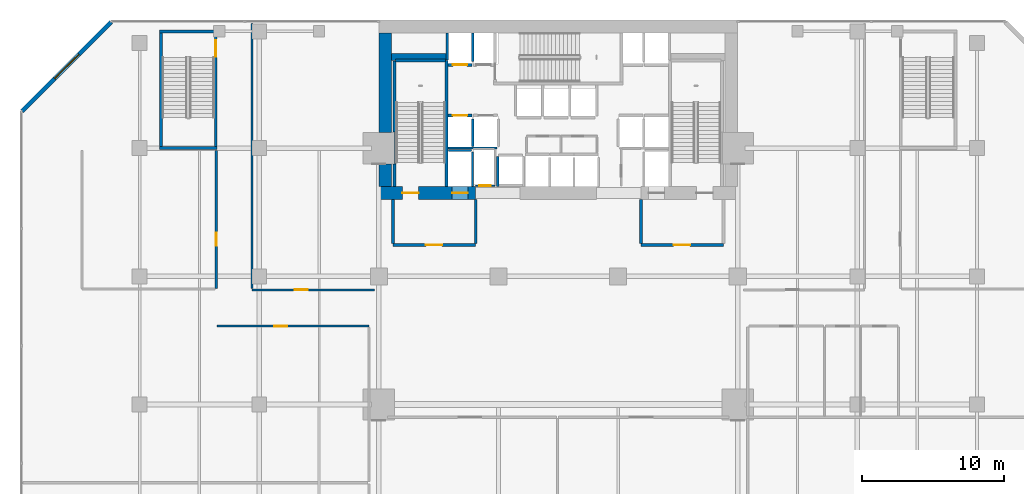
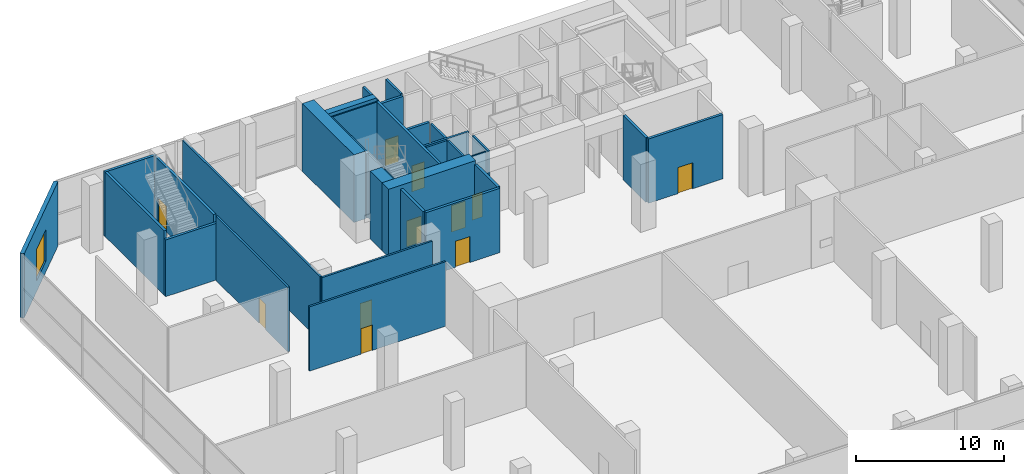
# One storey, part 35 of 40: 33 walls, 11 doors, 1 window, 12 openings.
"""IFC4 building model written with IfcOpenShell, lengths in metres."""

from ifc_helpers import new_model, si_unit, direction, frame, frame_2d, origin, place, context, subcontext, project, spatial, rectangle, extrude, material, layer, layer_set, type_object, element, fill, save


model = new_model("IFC4")

# Units and contexts
model_context = context("Model", 3, precision=1e-05, world=origin(), true_north=direction((0.0, 1.0)))
body_context = subcontext(model_context, "Body", "Model", "MODEL_VIEW")
ifc_project = project(units=[si_unit("LENGTHUNIT", "METRE"), si_unit("AREAUNIT", "SQUARE_METRE"), si_unit("VOLUMEUNIT", "CUBIC_METRE"), si_unit("PLANEANGLEUNIT", "RADIAN"), si_unit("MASSUNIT", "GRAM", prefix="KILO")], contexts=[model_context])

# Site, building, storey
site_placement = place(None, origin())
site = spatial("IfcSite", under=ifc_project, at=site_placement, CompositionType="ELEMENT")
building_placement = place(site_placement, origin())
building = spatial("IfcBuilding", under=site, at=building_placement, Name="Maruvema Waterfront Hotel and Observation Tower", CompositionType="ELEMENT")
storey_placement = place(building_placement, frame((0.0, 0.0, 10.85009765625)))
storey = spatial("IfcBuildingStorey", under=building, at=storey_placement, Name="L02", CompositionType="ELEMENT", Elevation=10.85009765625)

# Wall, opening, door
ifc_material_1 = material(Name="Twin-stud acoustic gypsum drywall", Category="gypsum")
ifc_layer_1 = layer(ifc_material_1, 0.14990234375, Name="Acoustic Corridor and Suite Demising Wall 150 mm")
ifc_layer_set_1 = layer_set([ifc_layer_1], Name="Twin-stud acoustic gypsum drywall")
wall_type_1 = type_object("IfcWallType", Name="Acoustic Corridor and Suite Demising Wall 150 mm", PredefinedType="PARTITIONING", material=ifc_layer_set_1)
wall_1_placement = place(storey_placement, frame((13.85009765625, 32.5, 0.0), z_axis=(0.0, 0.0, 1.0), x_axis=(1.0, 0.0, 0.0)))
wall_1 = element("IfcWall", 1, at=wall_1_placement, inside=storey, type_object=wall_type_1, Name="L02 L02 Boardroom North Wall 021", PredefinedType="PARTITIONING", context=body_context, shape_type="SweptSolid", body=[
    extrude(rectangle(XDim=10.64990234375, YDim=0.14990234375, at=frame_2d((5.324951171875, 0.0))), origin(), (0.0, 0.0, 1.0), 5.31982421875),
])
opening_1_placement = place(wall_1_placement, frame((4.0, 0.0, 0.0)))
opening_1 = element("IfcOpeningElement", 2, at=opening_1_placement, cuts=wall_1, Name="Opening DR-090", PredefinedType="OPENING", context=body_context, shape_type="SweptSolid", body=[
    extrude(rectangle(XDim=0.89990234375, YDim=2.10009765625, at=frame_2d((0.449951171875, 1.050048828125))), frame((0.0, 0.0849609375, 0.0), z_axis=(0.0, -1.0, 0.0), x_axis=(1.0, 0.0, 0.0)), (0.0, 0.0, 1.0), 0.169921875),
])
ifc_material_2 = material(Name="Solid-core lacquered timber leaf", Category="wood")
door_type_1 = type_object("IfcDoorType", Name="Accessible Toilet and Room Door 900x2100 mm", OperationType="NOTDEFINED", PredefinedType="DOOR", material=ifc_material_2)
door_1_placement = place(opening_1_placement, origin())
door_1 = element("IfcDoor", 3, at=door_1_placement, inside=storey, type_object=door_type_1, Name="L02 Boardroom Door", OperationType="SINGLE_SWING_RIGHT", OverallHeight=2.10009765625, OverallWidth=0.89990234375, PredefinedType="DOOR", context=body_context, shape_type="SweptSolid", body=[
    extrude(rectangle(XDim=0.89990234375, YDim=2.10009765625, at=frame_2d((0.449951171875, 1.050048828125))), frame((0.0, 0.02490234375, 0.0), z_axis=(0.0, -1.0, 0.0), x_axis=(1.0, 0.0, 0.0)), (0.0, 0.0, 1.0), 0.050048828125),
])
fill(opening_1, door_1)

wall_2_placement = place(storey_placement, frame((16.300048828125, 35.050048828125, 0.0), z_axis=(0.0, 0.0, 1.0), x_axis=(1.0, 0.0, 0.0)))
wall_2 = element("IfcWall", 4, at=wall_2_placement, inside=storey, type_object=wall_type_1, Name="L02 L02 Exec Office Wall 024", PredefinedType="PARTITIONING", context=body_context, shape_type="SweptSolid", body=[
    extrude(rectangle(XDim=8.599853515625, YDim=0.14990234375, at=frame_2d((4.2998046875, 0.0))), origin(), (0.0, 0.0, 1.0), 5.31982421875),
])
opening_2_placement = place(wall_2_placement, frame((3.0, 0.0, 0.0)))
opening_2 = element("IfcOpeningElement", 5, at=opening_2_placement, cuts=wall_2, Name="Opening DR-090", PredefinedType="OPENING", context=body_context, shape_type="SweptSolid", body=[
    extrude(rectangle(XDim=0.89990234375, YDim=2.10009765625, at=frame_2d((0.449951171875, 1.050048828125))), frame((0.0, 0.0849609375, 0.0), z_axis=(0.0, -1.0, 0.0), x_axis=(1.0, 0.0, 0.0)), (0.0, 0.0, 1.0), 0.169921875),
])
door_2_placement = place(opening_2_placement, frame((0.89990234375, 0.0, 0.0), z_axis=(0.0, 0.0, 1.0), x_axis=(-1.0, 0.0, 0.0)))
door_2 = element("IfcDoor", 6, at=door_2_placement, inside=storey, type_object=door_type_1, Name="L02 Executive Office Door", OperationType="SINGLE_SWING_LEFT", OverallHeight=2.10009765625, OverallWidth=0.89990234375, PredefinedType="DOOR", context=body_context, shape_type="SweptSolid", body=[
    extrude(rectangle(XDim=0.89990234375, YDim=2.10009765625, at=frame_2d((0.449951171875, 1.050048828125))), frame((0.0, 0.02490234375, 0.0), z_axis=(0.0, -1.0, 0.0), x_axis=(1.0, 0.0, 0.0)), (0.0, 0.0, 1.0), 0.050048828125),
])
fill(opening_2, door_2)

# Wall
wall_3_placement = place(storey_placement, frame((16.300048828125, 35.14990234375, 0.0), z_axis=(0.0, 0.0, 1.0), x_axis=(0.0, 1.0, 0.0)))
element("IfcWall", 7, at=wall_3_placement, inside=storey, type_object=wall_type_1, Name="L02 L02 Exec West Wall 025", PredefinedType="PARTITIONING", context=body_context, shape_type="SweptSolid", body=[
    extrude(rectangle(XDim=18.60009765625, YDim=0.14990234375, at=frame_2d((9.300048828125, 0.0))), origin(), (0.0, 0.0, 1.0), 5.31982421875),
])

# Wall, opening, door
wall_4_placement = place(storey_placement, frame((13.780029296875, 35.14990234375, 0.0), z_axis=(0.0, 0.0, 1.0), x_axis=(0.0, 1.0, 0.0)))
wall_4 = element("IfcWall", 8, at=wall_4_placement, inside=storey, type_object=wall_type_1, Name="L02 L02 Catering Store Wall 026", PredefinedType="PARTITIONING", context=body_context, shape_type="SweptSolid", body=[
    extrude(rectangle(XDim=9.7001953125, YDim=0.14990234375, at=frame_2d((4.85009765625, 0.0))), origin(), (0.0, 0.0, 1.0), 5.31982421875),
])
opening_3_placement = place(wall_4_placement, frame((3.0, 0.0, 0.0)))
opening_3 = element("IfcOpeningElement", 9, at=opening_3_placement, cuts=wall_4, Name="Opening DR-090", PredefinedType="OPENING", context=body_context, shape_type="SweptSolid", body=[
    extrude(rectangle(XDim=0.89990234375, YDim=2.10009765625, at=frame_2d((0.449951171875, 1.050048828125))), frame((0.0, 0.0849609375, 0.0), z_axis=(0.0, -1.0, 0.0), x_axis=(1.0, 0.0, 0.0)), (0.0, 0.0, 1.0), 0.169921875),
])
door_3_placement = place(opening_3_placement, origin())
door_3 = element("IfcDoor", 10, at=door_3_placement, inside=storey, type_object=door_type_1, Name="L02 Catering Store Door", OperationType="SINGLE_SWING_RIGHT", OverallHeight=2.10009765625, OverallWidth=0.89990234375, PredefinedType="DOOR", context=body_context, shape_type="SweptSolid", body=[
    extrude(rectangle(XDim=0.89990234375, YDim=2.10009765625, at=frame_2d((0.449951171875, 1.050048828125))), frame((0.0, 0.02490234375, 0.0), z_axis=(0.0, -1.0, 0.0), x_axis=(1.0, 0.0, 0.0)), (0.0, 0.0, 1.0), 0.050048828125),
])
fill(opening_3, door_3)

# Walls
ifc_material_3 = material(Name="Precast concrete C45/55", Category="concrete")
ifc_layer_2 = layer(ifc_material_3, 0.199951171875, Name="Core Shaft and Stairwell Enclosure Wall 200 mm")
ifc_layer_set_2 = layer_set([ifc_layer_2], Name="Precast concrete C45/55")
wall_type_2 = type_object("IfcWallType", Name="Core Shaft and Stairwell Enclosure Wall 200 mm", PredefinedType="SOLIDWALL", material=ifc_layer_set_2)
wall_5_placement = place(storey_placement, frame((29.949951171875, 42.300048828125, 0.0), z_axis=(0.0, 0.0, 1.0), x_axis=(0.0, 1.0, 0.0)))
element("IfcWall", 11, at=wall_5_placement, inside=storey, type_object=wall_type_2, Name="L02 Stairwell ST-01 East Shaft Wall", PredefinedType="SOLIDWALL", context=body_context, shape_type="SweptSolid", body=[
    extrude(rectangle(XDim=8.849853515625, YDim=0.199951171875, at=frame_2d((4.4248046875, 0.0))), origin(), (0.0, 0.0, 1.0), 5.31982421875),
])
wall_6_placement = place(storey_placement, frame((26.300048828125, 42.300048828125, 0.0), z_axis=(0.0, 0.0, 1.0), x_axis=(0.0, 1.0, 0.0)))
element("IfcWall", 12, at=wall_6_placement, inside=storey, type_object=wall_type_2, Name="L02 Stairwell ST-01 Shaft Lining Wall", PredefinedType="SOLIDWALL", context=body_context, shape_type="SweptSolid", body=[
    extrude(rectangle(XDim=1.579833984375, YDim=0.199951171875, at=frame_2d((0.7900390625, 0.0))), origin(), (0.0, 0.0, 1.0), 5.31982421875),
])
wall_7_placement = place(storey_placement, frame((26.300048828125, 46.1201171875, 0.0), z_axis=(0.0, 0.0, 1.0), x_axis=(0.0, 1.0, 0.0)))
element("IfcWall", 13, at=wall_7_placement, inside=storey, type_object=wall_type_2, Name="L02 Stairwell ST-01 Shaft Lining Wall", PredefinedType="SOLIDWALL", context=body_context, shape_type="SweptSolid", body=[
    extrude(rectangle(XDim=5.0, YDim=0.199951171875, at=frame_2d((2.5, 0.0))), origin(), (0.0, 0.0, 1.0), 5.31982421875),
])
wall_8_placement = place(storey_placement, frame((26.3798828125, 51.14990234375, 0.0), z_axis=(0.0, 0.0, 1.0), x_axis=(1.0, 0.0, 0.0)))
element("IfcWall", 14, at=wall_8_placement, inside=storey, type_object=wall_type_2, Name="L02 Stairwell ST-01 Shaft Lining Wall", PredefinedType="SOLIDWALL", context=body_context, shape_type="SweptSolid", body=[
    extrude(rectangle(XDim=3.5, YDim=0.199951171875, at=frame_2d((1.75, 0.0))), origin(), (0.0, 0.0, 1.0), 5.31982421875),
])
wall_9_placement = place(storey_placement, frame((9.800048828125, 45.0, 0.0), z_axis=(0.0, 0.0, 1.0), x_axis=(1.0, 0.0, 0.0)))
element("IfcWall", 15, at=wall_9_placement, inside=storey, type_object=wall_type_2, Name="L02 Stairwell ST-04 Shaft Wall", PredefinedType="SOLIDWALL", context=body_context, shape_type="SweptSolid", body=[
    extrude(rectangle(XDim=4.050048828125, YDim=0.199951171875, at=frame_2d((2.02490234375, 0.0))), origin(), (0.0, 0.0, 1.0), 4.684814453125),
])
wall_10_placement = place(storey_placement, frame((9.89990234375, 45.10009765625, 0.0), z_axis=(0.0, 0.0, 1.0), x_axis=(0.0, 1.0, 0.0)))
element("IfcWall", 16, at=wall_10_placement, inside=storey, type_object=wall_type_2, Name="L02 Stairwell ST-04 Shaft Wall", PredefinedType="SOLIDWALL", context=body_context, shape_type="SweptSolid", body=[
    extrude(rectangle(XDim=8.099853515625, YDim=0.199951171875, at=frame_2d((4.0498046875, 0.0))), origin(), (0.0, 0.0, 1.0), 5.31982421875),
])

# Wall, opening, door
wall_11_placement = place(storey_placement, frame((13.75, 45.10009765625, 0.0), z_axis=(0.0, 0.0, 1.0), x_axis=(0.0, 1.0, 0.0)))
wall_11 = element("IfcWall", 17, at=wall_11_placement, inside=storey, type_object=wall_type_2, Name="L02 Stairwell ST-04 Shaft Wall", PredefinedType="SOLIDWALL", context=body_context, shape_type="SweptSolid", body=[
    extrude(rectangle(XDim=8.099853515625, YDim=0.199951171875, at=frame_2d((4.0498046875, 0.0))), origin(), (0.0, 0.0, 1.0), 5.31982421875),
])
opening_4_placement = place(wall_11_placement, frame((6.320068359375, 0.0, 0.0)))
opening_4 = element("IfcOpeningElement", 18, at=opening_4_placement, cuts=wall_11, Name="Opening SD-01", PredefinedType="OPENING", context=body_context, shape_type="SweptSolid", body=[
    extrude(rectangle(XDim=1.14990234375, YDim=2.14990234375, at=frame_2d((0.574951171875, 1.074951171875))), frame((0.0, 0.10986328125, 0.0), z_axis=(0.0, -1.0, 0.0), x_axis=(1.0, 0.0, 0.0)), (0.0, 0.0, 1.0), 0.219970703125),
])
ifc_material_4 = material(Name="Fire-rated galvanised steel leaf", Category="steel")
door_type_2 = type_object("IfcDoorType", Name="Exit Stair Fire Door 1150x2150 mm", OperationType="NOTDEFINED", PredefinedType="DOOR", material=ifc_material_4)
door_4_placement = place(opening_4_placement, origin())
door_4 = element("IfcDoor", 19, at=door_4_placement, inside=storey, type_object=door_type_2, Name="L02 Exit Stair ST-04 Fire Door", OperationType="SINGLE_SWING_RIGHT", OverallHeight=2.14990234375, OverallWidth=1.14990234375, PredefinedType="DOOR", context=body_context, shape_type="SweptSolid", body=[
    extrude(rectangle(XDim=1.14990234375, YDim=2.14990234375, at=frame_2d((0.574951171875, 1.074951171875))), frame((0.0, 0.02490234375, 0.0), z_axis=(0.0, -1.0, 0.0), x_axis=(1.0, 0.0, 0.0)), (0.0, 0.0, 1.0), 0.050048828125),
])
fill(opening_4, door_4)

# Wall
wall_12_placement = place(storey_placement, frame((9.800048828125, 53.199951171875, 0.0), z_axis=(0.0, 0.0, 1.0), x_axis=(1.0, 0.0, 0.0)))
element("IfcWall", 20, at=wall_12_placement, inside=storey, type_object=wall_type_2, Name="L02 Stairwell ST-04 Shaft Wall", PredefinedType="SOLIDWALL", context=body_context, shape_type="SweptSolid", body=[
    extrude(rectangle(XDim=4.050048828125, YDim=0.199951171875, at=frame_2d((2.02490234375, 0.0))), origin(), (0.0, 0.0, 1.0), 5.31982421875),
])

# Wall, opening, door
wall_13_placement = place(storey_placement, frame((30.06005859375, 47.300048828125, 0.0), z_axis=(0.0, 0.0, 1.0), x_axis=(1.0, 0.0, 0.0)))
wall_13 = element("IfcWall", 21, at=wall_13_placement, inside=storey, type_object=wall_type_2, Name="L02 Lift LF-01 Hoistway Front Wall", PredefinedType="SOLIDWALL", context=body_context, shape_type="SweptSolid", body=[
    extrude(rectangle(XDim=1.679931640625, YDim=0.199951171875, at=frame_2d((0.83984375, 0.0))), origin(), (0.0, 0.0, 1.0), 5.31982421875),
])
opening_5_placement = place(wall_13_placement, frame((0.340087890625, 0.0, 0.0)))
opening_5 = element("IfcOpeningElement", 22, at=opening_5_placement, cuts=wall_13, Name="Opening LD-01", PredefinedType="OPENING", context=body_context, shape_type="SweptSolid", body=[
    extrude(rectangle(XDim=1.0, YDim=2.14990234375, at=frame_2d((0.5, 1.074951171875))), frame((0.0, 0.10986328125, 0.0), z_axis=(0.0, -1.0, 0.0), x_axis=(1.0, 0.0, 0.0)), (0.0, 0.0, 1.0), 0.219970703125),
])
ifc_material_5 = material(Name="Brushed stainless steel Grade 316", Category="steel")
door_type_3 = type_object("IfcDoorType", Name="Passenger Lift Sliding Landing Door 1000x2150 mm", OperationType="SLIDING_TO_LEFT", PredefinedType="DOOR", material=ifc_material_5)
door_5_placement = place(opening_5_placement, origin())
door_5 = element("IfcDoor", 23, at=door_5_placement, inside=storey, type_object=door_type_3, Name="L02 Lift LF-01 Sliding Landing Door", OperationType="SLIDING_TO_LEFT", OverallHeight=2.14990234375, OverallWidth=1.0, PredefinedType="DOOR", context=body_context, shape_type="SweptSolid", body=[
    extrude(rectangle(XDim=1.0, YDim=2.14990234375, at=frame_2d((0.5, 1.074951171875))), frame((0.0, 0.02490234375, 0.0), z_axis=(0.0, -1.0, 0.0), x_axis=(1.0, 0.0, 0.0)), (0.0, 0.0, 1.0), 0.050048828125),
])
fill(opening_5, door_5)

wall_14_placement = place(storey_placement, frame((30.06005859375, 50.85009765625, 0.0), z_axis=(0.0, 0.0, 1.0), x_axis=(1.0, 0.0, 0.0)))
wall_14 = element("IfcWall", 24, at=wall_14_placement, inside=storey, type_object=wall_type_2, Name="L02 Lift LF-03 Hoistway Front Wall", PredefinedType="SOLIDWALL", context=body_context, shape_type="SweptSolid", body=[
    extrude(rectangle(XDim=1.679931640625, YDim=0.199951171875, at=frame_2d((0.83984375, 0.0))), origin(), (0.0, 0.0, 1.0), 5.31982421875),
])
opening_6_placement = place(wall_14_placement, frame((0.340087890625, 0.0, 0.0)))
opening_6 = element("IfcOpeningElement", 25, at=opening_6_placement, cuts=wall_14, Name="Opening LD-01", PredefinedType="OPENING", context=body_context, shape_type="SweptSolid", body=[
    extrude(rectangle(XDim=1.0, YDim=2.14990234375, at=frame_2d((0.5, 1.074951171875))), frame((0.0, 0.10986328125, 0.0), z_axis=(0.0, -1.0, 0.0), x_axis=(1.0, 0.0, 0.0)), (0.0, 0.0, 1.0), 0.219970703125),
])
door_6_placement = place(opening_6_placement, frame((1.0, 0.0, 0.0), z_axis=(0.0, 0.0, 1.0), x_axis=(-1.0, 0.0, 0.0)))
door_6 = element("IfcDoor", 26, at=door_6_placement, inside=storey, type_object=door_type_3, Name="L02 Lift LF-03 Sliding Landing Door", OperationType="SLIDING_TO_LEFT", OverallHeight=2.14990234375, OverallWidth=1.0, PredefinedType="DOOR", context=body_context, shape_type="SweptSolid", body=[
    extrude(rectangle(XDim=1.0, YDim=2.14990234375, at=frame_2d((0.5, 1.074951171875))), frame((0.0, 0.02490234375, 0.0), z_axis=(0.0, -1.0, 0.0), x_axis=(1.0, 0.0, 0.0)), (0.0, 0.0, 1.0), 0.050048828125),
])
fill(opening_6, door_6)

# Wall
ifc_material_6 = material(Name="Concrete C70/85", Category="concrete")
ifc_layer_3 = layer(ifc_material_6, 0.5, Name="Core Shear Wall 500 mm")
ifc_layer_set_3 = layer_set([ifc_layer_3], Name="Concrete C70/85")
wall_type_3 = type_object("IfcWallType", Name="Core Shear Wall 500 mm", PredefinedType="SHEAR", material=ifc_layer_set_3)
wall_15_placement = place(storey_placement, frame((26.10009765625, 51.39990234375, 0.0), z_axis=(0.0, 0.0, 1.0), x_axis=(1.0, 0.0, 0.0)))
element("IfcWall", 27, at=wall_15_placement, inside=storey, type_object=wall_type_3, Name="L02 Internal Core Shear Wall NW 500 mm", PredefinedType="SHEAR", context=body_context, shape_type="SweptSolid", body=[
    extrude(rectangle(XDim=3.7998046875, YDim=0.5, at=frame_2d((1.89990234375, 0.0))), origin(), (0.0, 0.0, 1.0), 5.599853515625),
])

# Wall, openings, doors
ifc_material_7 = material(Name="Concrete C80/95", Category="concrete")
ifc_layer_4 = layer(ifc_material_7, 0.89990234375, Name="Core Shear Wall 900 mm")
ifc_layer_set_4 = layer_set([ifc_layer_4], Name="Concrete C80/95")
wall_type_4 = type_object("IfcWallType", Name="Core Shear Wall 900 mm", PredefinedType="SHEAR", material=ifc_layer_set_4)
wall_16_placement = place(storey_placement, frame((25.199951171875, 41.85009765625, 0.0), z_axis=(0.0, 0.0, 1.0), x_axis=(1.0, 0.0, 0.0)))
wall_16 = element("IfcWall", 28, at=wall_16_placement, inside=storey, type_object=wall_type_4, Name="L02 South-West Core Shear Wall", PredefinedType="SHEAR", context=body_context, shape_type="SweptSolid", body=[
    extrude(rectangle(XDim=6.800048828125, YDim=0.89990234375, at=frame_2d((3.39990234375, 0.0))), origin(), (0.0, 0.0, 1.0), 5.599853515625),
])
opening_7_placement = place(wall_16_placement, frame((1.64990234375, 0.0, 0.0)))
opening_7 = element("IfcOpeningElement", 29, at=opening_7_placement, cuts=wall_16, Name="Opening SD-01", PredefinedType="OPENING", context=body_context, shape_type="SweptSolid", body=[
    extrude(rectangle(XDim=1.14990234375, YDim=2.14990234375, at=frame_2d((0.574951171875, 1.074951171875))), frame((0.0, 0.4599609375, 0.0), z_axis=(0.0, -1.0, 0.0), x_axis=(1.0, 0.0, 0.0)), (0.0, 0.0, 1.0), 0.919921875),
])
opening_8_placement = place(wall_16_placement, frame((5.14990234375, 0.0, 0.0)))
opening_8 = element("IfcOpeningElement", 30, at=opening_8_placement, cuts=wall_16, Name="Opening LD-03", PredefinedType="OPENING", context=body_context, shape_type="SweptSolid", body=[
    extrude(rectangle(XDim=1.10009765625, YDim=2.199951171875, at=frame_2d((0.550048828125, 1.10009765625))), frame((0.0, 0.4599609375, 0.0), z_axis=(0.0, -1.0, 0.0), x_axis=(1.0, 0.0, 0.0)), (0.0, 0.0, 1.0), 0.919921875),
])
door_7_placement = place(opening_7_placement, origin())
door_7 = element("IfcDoor", 31, at=door_7_placement, inside=storey, type_object=door_type_2, Name="L02 Exit Stair ST-01 Fire Door", OperationType="SINGLE_SWING_LEFT", OverallHeight=2.14990234375, OverallWidth=1.14990234375, PredefinedType="DOOR", context=body_context, shape_type="SweptSolid", body=[
    extrude(rectangle(XDim=1.14990234375, YDim=2.14990234375, at=frame_2d((0.574951171875, 1.074951171875))), frame((0.0, 0.02490234375, 0.0), z_axis=(0.0, -1.0, 0.0), x_axis=(1.0, 0.0, 0.0)), (0.0, 0.0, 1.0), 0.050048828125),
])
fill(opening_7, door_7)
ifc_material_8 = material(Name="Brushed stainless steel Grade 316", Category="steel")
door_type_4 = type_object("IfcDoorType", Name="Firefighting Lift Sliding Landing Door 1100x2200 mm", OperationType="SLIDING_TO_LEFT", PredefinedType="DOOR", material=ifc_material_8)
door_8_placement = place(opening_8_placement, frame((1.10009765625, 0.0, 0.0), z_axis=(0.0, 0.0, 1.0), x_axis=(-1.0, 0.0, 0.0)))
door_8 = element("IfcDoor", 32, at=door_8_placement, inside=storey, type_object=door_type_4, Name="L02 Firefighting Lift FL-01 Landing Door", OperationType="SLIDING_TO_LEFT", OverallHeight=2.199951171875, OverallWidth=1.10009765625, PredefinedType="DOOR", context=body_context, shape_type="SweptSolid", body=[
    extrude(rectangle(XDim=1.10009765625, YDim=2.199951171875, at=frame_2d((0.550048828125, 1.10009765625))), frame((0.0, 0.02490234375, 0.0), z_axis=(0.0, -1.0, 0.0), x_axis=(1.0, 0.0, 0.0)), (0.0, 0.0, 1.0), 0.050048828125),
])
fill(opening_8, door_8)

# Walls
wall_17_placement = place(storey_placement, frame((25.64990234375, 42.300048828125, 0.0), z_axis=(0.0, 0.0, 1.0), x_axis=(0.0, 1.0, 0.0)))
element("IfcWall", 33, at=wall_17_placement, inside=storey, type_object=wall_type_4, Name="L02 West-South Core Shear Wall", PredefinedType="SHEAR", context=body_context, shape_type="SweptSolid", body=[
    extrude(rectangle(XDim=1.599853515625, YDim=0.89990234375, at=frame_2d((0.7998046875, 0.0))), origin(), (0.0, 0.0, 1.0), 5.599853515625),
])
wall_18_placement = place(storey_placement, frame((25.64990234375, 46.10009765625, 0.0), z_axis=(0.0, 0.0, 1.0), x_axis=(0.0, 1.0, 0.0)))
element("IfcWall", 34, at=wall_18_placement, inside=storey, type_object=wall_type_4, Name="L02 West-North Core Shear Wall", PredefinedType="SHEAR", context=body_context, shape_type="SweptSolid", body=[
    extrude(rectangle(XDim=7.0, YDim=0.89990234375, at=frame_2d((3.5, 0.0))), origin(), (0.0, 0.0, 1.0), 5.599853515625),
])

# Wall, opening, door
ifc_material_9 = material(Name="Moisture-resistant cement-board drywall", Category="gypsum")
ifc_layer_5 = layer(ifc_material_9, 0.10009765625, Name="En-Suite Moisture-Resistant Partition 100 mm")
ifc_layer_set_5 = layer_set([ifc_layer_5], Name="Moisture-resistant cement-board drywall")
wall_type_5 = type_object("IfcWallType", Name="En-Suite Moisture-Resistant Partition 100 mm", PredefinedType="PARTITIONING", material=ifc_layer_set_5)
wall_19_placement = place(storey_placement, frame((32.02001953125, 42.360107421875, 0.0), z_axis=(0.0, 0.0, 1.0), x_axis=(1.0, 0.0, 0.0)))
wall_19 = element("IfcWall", 35, at=wall_19_placement, inside=storey, type_object=wall_type_5, Name="L02 Telecom Riser South Wall 007", PredefinedType="PARTITIONING", context=body_context, shape_type="SweptSolid", body=[
    extrude(rectangle(XDim=1.320068359375, YDim=0.10009765625, at=frame_2d((0.66015625, 0.0))), origin(), (0.0, 0.0, 1.0), 5.31982421875),
])
opening_9_placement = place(wall_19_placement, frame((0.239990234375, 0.0, 0.0)))
opening_9 = element("IfcOpeningElement", 36, at=opening_9_placement, cuts=wall_19, Name="Opening DR-080", PredefinedType="OPENING", context=body_context, shape_type="SweptSolid", body=[
    extrude(rectangle(XDim=0.800048828125, YDim=2.050048828125, at=frame_2d((0.39990234375, 1.02490234375))), frame((0.0, 0.06005859375, 0.0), z_axis=(0.0, -1.0, 0.0), x_axis=(1.0, 0.0, 0.0)), (0.0, 0.0, 1.0), 0.1201171875),
])
ifc_material_10 = material(Name="Powder-coated steel access leaf", Category="steel")
door_type_5 = type_object("IfcDoorType", Name="Riser and Service Cupboard Door 800x2050 mm", OperationType="NOTDEFINED", PredefinedType="DOOR", material=ifc_material_10)
door_9_placement = place(opening_9_placement, frame((0.800048828125, 0.0, 0.0), z_axis=(0.0, 0.0, 1.0), x_axis=(-1.0, 0.0, 0.0)))
door_9 = element("IfcDoor", 37, at=door_9_placement, inside=storey, type_object=door_type_5, Name="L02 Telecom Riser Door", OperationType="SINGLE_SWING_RIGHT", OverallHeight=2.050048828125, OverallWidth=0.800048828125, PredefinedType="DOOR", context=body_context, shape_type="SweptSolid", body=[
    extrude(rectangle(XDim=0.800048828125, YDim=2.050048828125, at=frame_2d((0.39990234375, 1.02490234375))), frame((0.0, 0.02490234375, 0.0), z_axis=(0.0, -1.0, 0.0), x_axis=(1.0, 0.0, 0.0)), (0.0, 0.0, 1.0), 0.050048828125),
])
fill(opening_9, door_9)

ifc_material_11 = material(Name="Autoclaved cellular concrete blockwork", Category="masonry")
ifc_layer_6 = layer(ifc_material_11, 0.199951171875, Name="Fire Compartment Masonry Wall 200 mm")
ifc_layer_set_6 = layer_set([ifc_layer_6], Name="Autoclaved cellular concrete blockwork")
wall_type_6 = type_object("IfcWallType", Name="Fire Compartment Masonry Wall 200 mm", PredefinedType="PARTITIONING", material=ifc_layer_set_6)
wall_20_placement = place(storey_placement, frame((26.199951171875, 38.199951171875, 0.0), z_axis=(0.0, 0.0, 1.0), x_axis=(1.0, 0.0, 0.0)))
wall_20 = element("IfcWall", 38, at=wall_20_placement, inside=storey, type_object=wall_type_6, Name="L02 FFL West South Wall 001", PredefinedType="PARTITIONING", context=body_context, shape_type="SweptSolid", body=[
    extrude(rectangle(XDim=5.800048828125, YDim=0.199951171875, at=frame_2d((2.89990234375, 0.0))), origin(), (0.0, 0.0, 1.0), 5.31982421875),
])
opening_10_placement = place(wall_20_placement, frame((2.300048828125, 0.0, 0.0)))
opening_10 = element("IfcOpeningElement", 39, at=opening_10_placement, cuts=wall_20, Name="Opening FD-115", PredefinedType="OPENING", context=body_context, shape_type="SweptSolid", body=[
    extrude(rectangle(XDim=1.14990234375, YDim=2.14990234375, at=frame_2d((0.574951171875, 1.074951171875))), frame((0.0, 0.10986328125, 0.0), z_axis=(0.0, -1.0, 0.0), x_axis=(1.0, 0.0, 0.0)), (0.0, 0.0, 1.0), 0.219970703125),
])
ifc_material_12 = material(Name="Fire-rated galvanised steel and vision glass", Category="steel")
door_type_6 = type_object("IfcDoorType", Name="Firefighting Lobby Fire Door 1150x2150 mm", OperationType="NOTDEFINED", PredefinedType="DOOR", material=ifc_material_12)
door_10_placement = place(opening_10_placement, frame((1.14990234375, 0.0, 0.0), z_axis=(0.0, 0.0, 1.0), x_axis=(-1.0, 0.0, 0.0)))
door_10 = element("IfcDoor", 40, at=door_10_placement, inside=storey, type_object=door_type_6, Name="L02 Firefighting Lobby West Door", OperationType="SINGLE_SWING_RIGHT", OverallHeight=2.14990234375, OverallWidth=1.14990234375, PredefinedType="DOOR", context=body_context, shape_type="SweptSolid", body=[
    extrude(rectangle(XDim=1.14990234375, YDim=2.14990234375, at=frame_2d((0.574951171875, 1.074951171875))), frame((0.0, 0.02490234375, 0.0), z_axis=(0.0, -1.0, 0.0), x_axis=(1.0, 0.0, 0.0)), (0.0, 0.0, 1.0), 0.050048828125),
])
fill(opening_10, door_10)

# Walls
for number, where, z_axis, x_axis, name in (
    (41, (26.199951171875, 38.31005859375, 0.0), (0.0, 0.0, 1.0), (0.0, 1.0, 0.0), "L02 FFL West West Wall 002"),
    (42, (32.0, 38.31005859375, 0.0), (0.0, 0.0, 1.0), (0.0, 1.0, 0.0), "L02 FFL West East Wall 003"),
):
    element("IfcWall", number, at=place(storey_placement, frame(where, z_axis=z_axis, x_axis=x_axis)), inside=storey, type_object=wall_type_6, Name=name, PredefinedType="PARTITIONING", context=body_context, shape_type="SweptSolid", body=[
        extrude(rectangle(XDim=3.06982421875, YDim=0.199951171875, at=frame_2d((1.534912109375, 0.0))), origin(), (0.0, 0.0, 1.0), 5.31982421875),
    ])

# Wall, opening, door
wall_21_placement = place(storey_placement, frame((43.60009765625, 38.199951171875, 0.0), z_axis=(0.0, 0.0, 1.0), x_axis=(1.0, 0.0, 0.0)))
wall_21 = element("IfcWall", 43, at=wall_21_placement, inside=storey, type_object=wall_type_6, Name="L02 FFL East South Wall 004", PredefinedType="PARTITIONING", context=body_context, shape_type="SweptSolid", body=[
    extrude(rectangle(XDim=5.7998046875, YDim=0.199951171875, at=frame_2d((2.89990234375, 0.0))), origin(), (0.0, 0.0, 1.0), 5.31982421875),
])
opening_11_placement = place(wall_21_placement, frame((2.300048828125, 0.0, 0.0)))
opening_11 = element("IfcOpeningElement", 44, at=opening_11_placement, cuts=wall_21, Name="Opening FD-115", PredefinedType="OPENING", context=body_context, shape_type="SweptSolid", body=[
    extrude(rectangle(XDim=1.14990234375, YDim=2.14990234375, at=frame_2d((0.574951171875, 1.074951171875))), frame((0.0, 0.10986328125, 0.0), z_axis=(0.0, -1.0, 0.0), x_axis=(1.0, 0.0, 0.0)), (0.0, 0.0, 1.0), 0.219970703125),
])
door_11_placement = place(opening_11_placement, frame((1.14990234375, 0.0, 0.0), z_axis=(0.0, 0.0, 1.0), x_axis=(-1.0, 0.0, 0.0)))
door_11 = element("IfcDoor", 45, at=door_11_placement, inside=storey, type_object=door_type_6, Name="L02 Firefighting Lobby East Door", OperationType="SINGLE_SWING_LEFT", OverallHeight=2.14990234375, OverallWidth=1.14990234375, PredefinedType="DOOR", context=body_context, shape_type="SweptSolid", body=[
    extrude(rectangle(XDim=1.14990234375, YDim=2.14990234375, at=frame_2d((0.574951171875, 1.074951171875))), frame((0.0, 0.02490234375, 0.0), z_axis=(0.0, -1.0, 0.0), x_axis=(1.0, 0.0, 0.0)), (0.0, 0.0, 1.0), 0.050048828125),
])
fill(opening_11, door_11)

# Walls
wall_22_placement = place(storey_placement, frame((43.60009765625, 38.31005859375, 0.0), z_axis=(0.0, 0.0, 1.0), x_axis=(0.0, 1.0, 0.0)))
element("IfcWall", 46, at=wall_22_placement, inside=storey, type_object=wall_type_6, Name="L02 FFL East West Wall 005", PredefinedType="PARTITIONING", context=body_context, shape_type="SweptSolid", body=[
    extrude(rectangle(XDim=3.06982421875, YDim=0.199951171875, at=frame_2d((1.534912109375, 0.0))), origin(), (0.0, 0.0, 1.0), 5.31982421875),
])
ifc_material_13 = material(Name="Precast concrete C45/55", Category="concrete")
ifc_layer_7 = layer(ifc_material_13, 0.159912109375, Name="Lift Hoistway Divider Wall 160 mm")
ifc_layer_set_7 = layer_set([ifc_layer_7], Name="Precast concrete C45/55")
wall_type_7 = type_object("IfcWallType", Name="Lift Hoistway Divider Wall 160 mm", PredefinedType="SOLIDWALL", material=ifc_layer_set_7)
wall_23_placement = place(storey_placement, frame((30.10009765625, 44.830078125, 0.0), z_axis=(0.0, 0.0, 1.0), x_axis=(1.0, 0.0, 0.0)))
element("IfcWall", 47, at=wall_23_placement, inside=storey, type_object=wall_type_7, Name="L02 Lift FL-01 Rear Hoistway Wall", PredefinedType="SOLIDWALL", context=body_context, shape_type="SweptSolid", body=[
    extrude(rectangle(XDim=1.599853515625, YDim=0.159912109375, at=frame_2d((0.7998046875, 0.0))), origin(), (0.0, 0.0, 1.0), 5.31982421875),
])
wall_24_placement = place(storey_placement, frame((31.780029296875, 42.300048828125, 0.0), z_axis=(0.0, 0.0, 1.0), x_axis=(0.0, 1.0, 0.0)))
element("IfcWall", 48, at=wall_24_placement, inside=storey, type_object=wall_type_7, Name="L02 Lift FL-01 Inner Hoistway Wall", PredefinedType="SOLIDWALL", context=body_context, shape_type="SweptSolid", body=[
    extrude(rectangle(XDim=2.43994140625, YDim=0.159912109375, at=frame_2d((1.219970703125, 0.0))), origin(), (0.0, 0.0, 1.0), 5.31982421875),
])
wall_25_placement = place(storey_placement, frame((31.800048828125, 45.10009765625, 0.0), z_axis=(0.0, 0.0, 1.0), x_axis=(0.0, 1.0, 0.0)))
element("IfcWall", 49, at=wall_25_placement, inside=storey, type_object=wall_type_7, Name="L02 Hoistway Divider Wall", PredefinedType="SOLIDWALL", context=body_context, shape_type="SweptSolid", body=[
    extrude(rectangle(XDim=1.949951171875, YDim=0.159912109375, at=frame_2d((0.97509765625, 0.0))), origin(), (0.0, 0.0, 1.0), 5.31982421875),
])
wall_26_placement = place(storey_placement, frame((30.050048828125, 45.010009765625, 0.0), z_axis=(0.0, 0.0, 1.0), x_axis=(1.0, 0.0, 0.0)))
element("IfcWall", 50, at=wall_26_placement, inside=storey, type_object=wall_type_7, Name="L02 Hoistway Divider Wall", PredefinedType="SOLIDWALL", context=body_context, shape_type="SweptSolid", body=[
    extrude(rectangle(XDim=3.449951171875, YDim=0.159912109375, at=frame_2d((1.72509765625, 0.0))), origin(), (0.0, 0.0, 1.0), 5.31982421875),
])
wall_27_placement = place(storey_placement, frame((30.010009765625, 51.179931640625, 0.0), z_axis=(0.0, 0.0, 1.0), x_axis=(0.0, 1.0, 0.0)))
element("IfcWall", 51, at=wall_27_placement, inside=storey, type_object=wall_type_7, Name="L02 Hoistway Divider Wall", PredefinedType="SOLIDWALL", context=body_context, shape_type="SweptSolid", body=[
    extrude(rectangle(XDim=1.920166015625, YDim=0.159912109375, at=frame_2d((0.9599609375, 0.0))), origin(), (0.0, 0.0, 1.0), 5.31982421875),
])
wall_28_placement = place(storey_placement, frame((31.800048828125, 51.10009765625, 0.0), z_axis=(0.0, 0.0, 1.0), x_axis=(0.0, 1.0, 0.0)))
element("IfcWall", 52, at=wall_28_placement, inside=storey, type_object=wall_type_7, Name="L02 Hoistway Divider Wall", PredefinedType="SOLIDWALL", context=body_context, shape_type="SweptSolid", body=[
    extrude(rectangle(XDim=2.0, YDim=0.159912109375, at=frame_2d((1.0, 0.0))), origin(), (0.0, 0.0, 1.0), 5.31982421875),
])
wall_29_placement = place(storey_placement, frame((33.5400390625, 42.300048828125, 0.0), z_axis=(0.0, 0.0, 1.0), x_axis=(0.0, 1.0, 0.0)))
element("IfcWall", 53, at=wall_29_placement, inside=storey, type_object=wall_type_7, Name="L02 Hoistway Divider Wall", PredefinedType="SOLIDWALL", context=body_context, shape_type="SweptSolid", body=[
    extrude(rectangle(XDim=2.099853515625, YDim=0.159912109375, at=frame_2d((1.0498046875, 0.0))), origin(), (0.0, 0.0, 1.0), 5.31982421875),
])

# Wall, opening, window
ifc_material_14 = material(Name="Precast concrete C45/55 with honed Pernambuco granite facing", Category="masonry")
ifc_layer_8 = layer(ifc_material_14, 0.300048828125, Name="Podium Waterfront Granite Colonnade Wall 300 mm")
ifc_layer_set_8 = layer_set([ifc_layer_8], Name="Precast concrete C45/55 with honed Pernambuco granite facing")
wall_type_8 = type_object("IfcWallType", Name="Podium Waterfront Granite Colonnade Wall 300 mm", PredefinedType="SOLIDWALL", material=ifc_layer_set_8)
wall_30_placement = place(storey_placement, frame((6.39990234375, 53.85009765625, 0.0), z_axis=(0.0, 0.0, 1.0), x_axis=(-0.707106781187, -0.707106781187, 0.0)))
wall_30 = element("IfcWall", 54, at=wall_30_placement, inside=storey, type_object=wall_type_8, Name="L02 Podium Chamfer Granite Pier Wall NW", PredefinedType="SOLIDWALL", context=body_context, shape_type="SweptSolid", body=[
    extrude(rectangle(XDim=8.8388671875, YDim=0.300048828125, at=frame_2d((4.41943359375, 0.0))), origin(), (0.0, 0.0, 1.0), 5.31982421875),
])
opening_12_placement = place(wall_30_placement, frame((3.199951171875, 0.0, 0.89990234375)))
opening_12 = element("IfcOpeningElement", 55, at=opening_12_placement, cuts=wall_30, Name="Opening WN-04", PredefinedType="OPENING", context=body_context, shape_type="SweptSolid", body=[
    extrude(rectangle(XDim=2.39990234375, YDim=2.60009765625, at=frame_2d((1.199951171875, 1.300048828125))), frame((0.0, 0.16015625, 0.0), z_axis=(0.0, -1.0, 0.0), x_axis=(1.0, 0.0, 0.0)), (0.0, 0.0, 1.0), 0.320068359375),
])
ifc_material_15 = material(Name="Anodised bronze aluminium frame with laminated low-E glass", Category="aluminium")
window_type = type_object("IfcWindowType", Name="Podium Waterfront Punched Window 2400x2600 mm", PartitioningType="SINGLE_PANEL", PredefinedType="WINDOW", material=ifc_material_15)
window_placement = place(opening_12_placement, origin())
window = element("IfcWindow", 56, at=window_placement, inside=storey, type_object=window_type, Name="L02 Podium Chamfer Feature Window NW", OverallHeight=2.60009765625, OverallWidth=2.39990234375, PartitioningType="SINGLE_PANEL", PredefinedType="WINDOW", context=body_context, shape_type="SweptSolid", body=[
    extrude(rectangle(XDim=2.39990234375, YDim=2.60009765625, at=frame_2d((1.199951171875, 1.300048828125))), frame((0.0, 0.030029296875, 0.0), z_axis=(0.0, -1.0, 0.0), x_axis=(1.0, 0.0, 0.0)), (0.0, 0.0, 1.0), 0.06005859375),
])
fill(opening_12, window)

# Wall
ifc_material_16 = material(Name="Precast concrete C45/55", Category="concrete")
ifc_layer_9 = layer(ifc_material_16, 0.10009765625, Name="Stairwell Stringer Cheek Wall 100 mm")
ifc_layer_set_9 = layer_set([ifc_layer_9], Name="Precast concrete C45/55")
wall_type_9 = type_object("IfcWallType", Name="Stairwell Stringer Cheek Wall 100 mm", PredefinedType="SOLIDWALL", material=ifc_layer_set_9)
wall_31_placement = place(storey_placement, frame((26.35205078125, 43.89990234375, 0.0), z_axis=(0.0, 0.0, 1.0), x_axis=(0.0, 1.0, 0.0)))
element("IfcWall", 57, at=wall_31_placement, inside=storey, type_object=wall_type_9, Name="L02 Stairwell ST-01 Mega-Column Cheek Wall", PredefinedType="SOLIDWALL", context=body_context, shape_type="SweptSolid", body=[
    extrude(rectangle(XDim=2.2001953125, YDim=0.10009765625, at=frame_2d((1.10009765625, 0.0))), origin(), (0.0, 0.0, 1.0), 5.31982421875),
])

save(model, "model.ifc")
